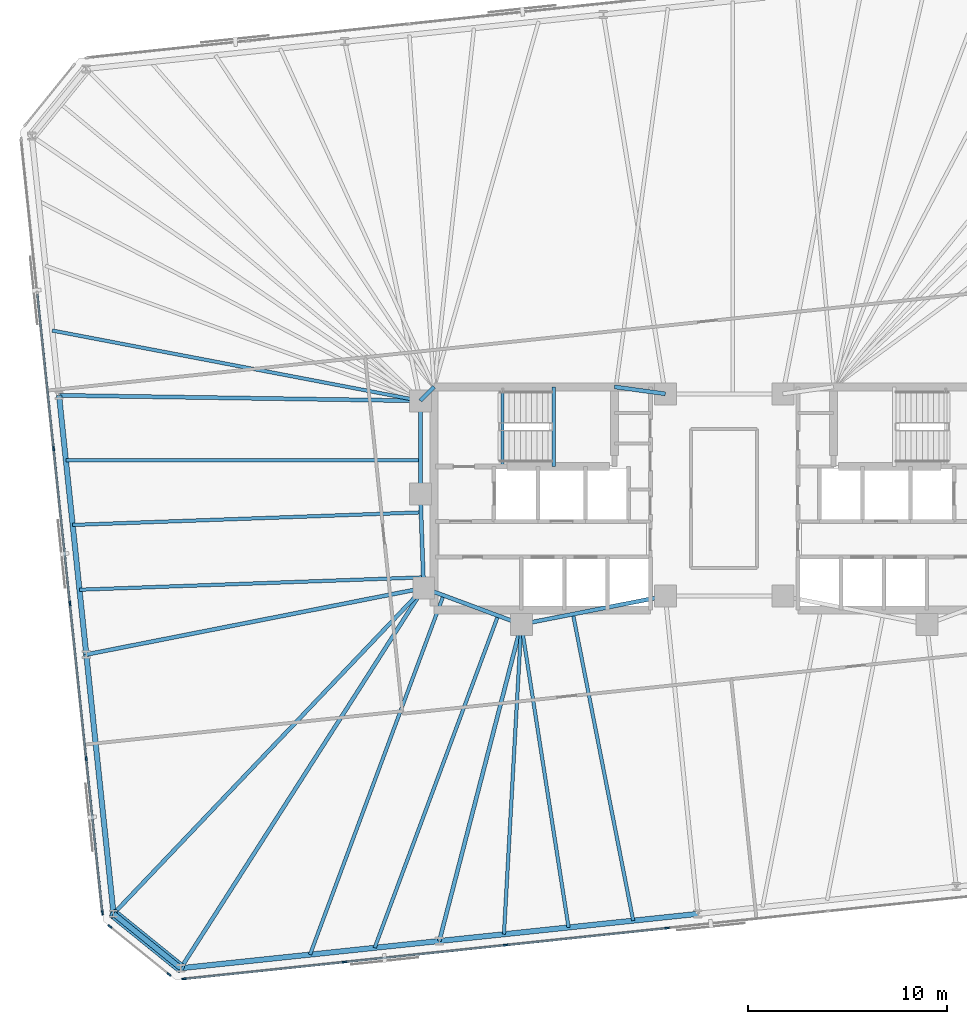
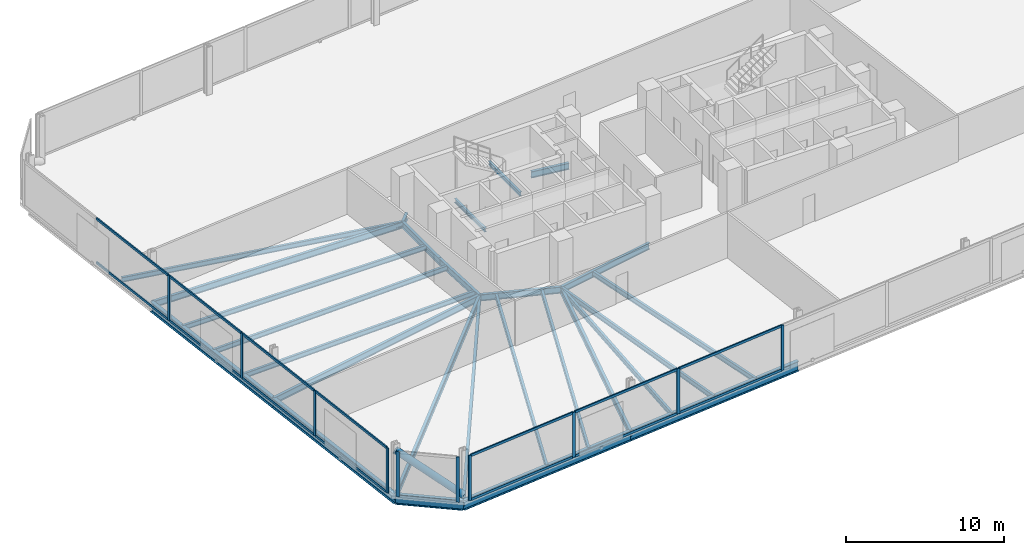
# One storey, part 6 of 17: 27 beams, 25 members, 3 elements without a shape of their own.
"""IFC4 building model written with IfcOpenShell, lengths in metres."""

from ifc_helpers import new_model, si_unit, direction, frame, origin, origin_2d, place, context, subcontext, project, spatial, rectangle, hollow_circle, i_section, extrude, material, material_profile, profile_set, type_object, element, aggregate, save


model = new_model("IFC4")

# Units and contexts
model_context = context("Model", 3, precision=1e-05, world=origin(), true_north=direction((0.0, 1.0)))
body_context = subcontext(model_context, "Body", "Model", "MODEL_VIEW")
ifc_project = project(units=[si_unit("LENGTHUNIT", "METRE"), si_unit("AREAUNIT", "SQUARE_METRE"), si_unit("VOLUMEUNIT", "CUBIC_METRE"), si_unit("PLANEANGLEUNIT", "RADIAN"), si_unit("MASSUNIT", "GRAM", prefix="KILO")], contexts=[model_context])

# Site, building, storey
site_placement = place(None, origin())
site = spatial("IfcSite", under=ifc_project, at=site_placement, CompositionType="ELEMENT")
building_placement = place(site_placement, origin())
building = spatial("IfcBuilding", under=site, at=building_placement, Name="Menara Jurai Vektor", CompositionType="ELEMENT")
storey_placement = place(building_placement, frame((0.0, 0.0, 87.39990234375)))
storey = spatial("IfcBuildingStorey", under=building, at=storey_placement, Name="L21", CompositionType="ELEMENT", Elevation=87.39990234375)

# Curtain wall, members
ifc_material_1 = material(Name="Anodised Pale Aluminium & Low-E Double Glazing", Category="aluminium")
curtain_wall_type = type_object("IfcCurtainWallType", Name="CW-BLK2", PredefinedType="NOTDEFINED", material=ifc_material_1)
curtain_wall_1_placement = place(storey_placement, origin())
curtain_wall_1 = element("IfcCurtainWall", 1, at=curtain_wall_1_placement, inside=storey, type_object=curtain_wall_type, Name="Unitised Curtain Wall L21 F01", PredefinedType="NOTDEFINED")
ifc_material_2 = material(Name="Anodised Pale Aluminium Mullion", Category="aluminium")
ifc_material_profile_1 = material_profile(ifc_material_2, rectangle(XDim=0.090087890625, YDim=0.219970703125, at=origin_2d()), Name="ALU MUL 90x220")
ifc_profile_set_1 = profile_set([ifc_material_profile_1], Name="Anodised Pale Aluminium Mullion")
member_type_1 = type_object("IfcMemberType", Name="CW-BLK2-MUL", PredefinedType="MULLION", material=ifc_profile_set_1)
member_1_placement = place(storey_placement, frame((-27.116455078125, -24.122314453125, 0.0), z_axis=(0.0, 0.0, 1.0), x_axis=(-0.104528634935, 0.994521877325, 0.0)))
member_1 = element("IfcMember", 2, at=member_1_placement, type_object=member_type_1, Name="CW-02 mullion 1", PredefinedType="MULLION", context=body_context, shape_type="SweptSolid", body=[
    extrude(rectangle(XDim=0.090087890625, YDim=0.219970703125, at=origin_2d()), origin(), (0.0, 0.0, 1.0), 3.47509765625),
])
member_2_placement = place(storey_placement, frame((-19.0634765625, -23.27587890625, 0.0), z_axis=(0.0, 0.0, 1.0), x_axis=(-0.104528634935, 0.994521877325, 0.0)))
member_2 = element("IfcMember", 3, at=member_2_placement, type_object=member_type_1, Name="CW-02 mullion 2", PredefinedType="MULLION", context=body_context, shape_type="SweptSolid", body=[
    extrude(rectangle(XDim=0.090087890625, YDim=0.219970703125, at=origin_2d()), origin(), (0.0, 0.0, 1.0), 3.47509765625),
])
member_3_placement = place(storey_placement, frame((-10.965576171875, -22.4248046875, 0.0), z_axis=(0.0, 0.0, 1.0), x_axis=(-0.104528634935, 0.994521877325, 0.0)))
member_3 = element("IfcMember", 4, at=member_3_placement, type_object=member_type_1, Name="CW-02 mullion 3", PredefinedType="MULLION", context=body_context, shape_type="SweptSolid", body=[
    extrude(rectangle(XDim=0.090087890625, YDim=0.219970703125, at=origin_2d()), origin(), (0.0, 0.0, 1.0), 3.47509765625),
])
member_4_placement = place(storey_placement, frame((-2.86767578125, -21.57373046875, 0.0), z_axis=(0.0, 0.0, 1.0), x_axis=(-0.104528634935, 0.994521877325, 0.0)))
member_4 = element("IfcMember", 5, at=member_4_placement, type_object=member_type_1, Name="CW-02 mullion 4", PredefinedType="MULLION", context=body_context, shape_type="SweptSolid", body=[
    extrude(rectangle(XDim=0.090087890625, YDim=0.219970703125, at=origin_2d()), origin(), (0.0, 0.0, 1.0), 3.47509765625),
])

curtain_wall_2_placement = place(storey_placement, origin())
curtain_wall_2 = element("IfcCurtainWall", 6, at=curtain_wall_2_placement, inside=storey, type_object=curtain_wall_type, Name="Unitised Curtain Wall L21 F07", PredefinedType="NOTDEFINED")
member_5_placement = place(storey_placement, frame((-33.66064453125, 2.50341796875, 0.0), z_axis=(0.0, 0.0, 1.0), x_axis=(0.99452177832, 0.104529576902, 0.0)))
member_5 = element("IfcMember", 7, at=member_5_placement, type_object=member_type_1, Name="CW-02 mullion 3", PredefinedType="MULLION", context=body_context, shape_type="SweptSolid", body=[
    extrude(rectangle(XDim=0.090087890625, YDim=0.219970703125, at=origin_2d()), origin(), (0.0, 0.0, 1.0), 3.47509765625),
])
member_6_placement = place(storey_placement, frame((-32.84228515625, -5.28173828125, 0.0), z_axis=(0.0, 0.0, 1.0), x_axis=(0.99452177832, 0.104529576902, 0.0)))
member_6 = element("IfcMember", 8, at=member_6_placement, type_object=member_type_1, Name="CW-02 mullion 4", PredefinedType="MULLION", context=body_context, shape_type="SweptSolid", body=[
    extrude(rectangle(XDim=0.090087890625, YDim=0.219970703125, at=origin_2d()), origin(), (0.0, 0.0, 1.0), 3.47509765625),
])
member_7_placement = place(storey_placement, frame((-32.024169921875, -13.06689453125, 0.0), z_axis=(0.0, 0.0, 1.0), x_axis=(0.99452177832, 0.104529576902, 0.0)))
member_7 = element("IfcMember", 9, at=member_7_placement, type_object=member_type_1, Name="CW-02 mullion 5", PredefinedType="MULLION", context=body_context, shape_type="SweptSolid", body=[
    extrude(rectangle(XDim=0.090087890625, YDim=0.219970703125, at=origin_2d()), origin(), (0.0, 0.0, 1.0), 3.47509765625),
])
member_8_placement = place(storey_placement, frame((-31.21044921875, -20.80712890625, 0.0), z_axis=(0.0, 0.0, 1.0), x_axis=(0.99452177832, 0.104529576902, 0.0)))
member_8 = element("IfcMember", 10, at=member_8_placement, type_object=member_type_1, Name="CW-02 mullion 6", PredefinedType="MULLION", context=body_context, shape_type="SweptSolid", body=[
    extrude(rectangle(XDim=0.090087890625, YDim=0.219970703125, at=origin_2d()), origin(), (0.0, 0.0, 1.0), 3.47509765625),
])

curtain_wall_3_placement = place(storey_placement, origin())
curtain_wall_3 = element("IfcCurtainWall", 11, at=curtain_wall_3_placement, inside=storey, type_object=curtain_wall_type, Name="Unitised Curtain Wall L21 F08", PredefinedType="NOTDEFINED")
member_9_placement = place(storey_placement, frame((-30.8359375, -21.497314453125, 0.0), z_axis=(0.0, 0.0, 1.0), x_axis=(0.629313085353, 0.777151877437, 0.0)))
member_9 = element("IfcMember", 12, at=member_9_placement, type_object=member_type_1, Name="CW-02 mullion 1", PredefinedType="MULLION", context=body_context, shape_type="SweptSolid", body=[
    extrude(rectangle(XDim=0.090087890625, YDim=0.219970703125, at=origin_2d()), origin(), (0.0, 0.0, 1.0), 3.47509765625),
])
member_10_placement = place(storey_placement, frame((-27.869384765625, -23.8994140625, 0.0), z_axis=(0.0, 0.0, 1.0), x_axis=(0.629313085353, 0.777151877437, 0.0)))
member_10 = element("IfcMember", 13, at=member_10_placement, type_object=member_type_1, Name="CW-02 mullion 2", PredefinedType="MULLION", context=body_context, shape_type="SweptSolid", body=[
    extrude(rectangle(XDim=0.090087890625, YDim=0.219970703125, at=origin_2d()), origin(), (0.0, 0.0, 1.0), 3.47509765625),
])
aggregate(curtain_wall_3, [member_9, member_10])

# Member
ifc_material_3 = material(Name="Anodised Pale Aluminium Transom", Category="aluminium")
ifc_material_profile_2 = material_profile(ifc_material_3, rectangle(XDim=0.090087890625, YDim=0.18505859375, at=origin_2d()), Name="ALU TRN 90x185")
ifc_profile_set_2 = profile_set([ifc_material_profile_2], Name="Anodised Pale Aluminium Transom")
member_type_2 = type_object("IfcMemberType", Name="CW-BLK2-TRN", PredefinedType="USERDEFINED", material=ifc_profile_set_2)
member_11_placement = place(storey_placement, frame((-27.07177734375, -24.11767578125, 0.045166015625), z_axis=(0.994523147415, 0.10451655015, 0.0), x_axis=(-0.10451655015, 0.994523147415, 0.0)))
member_11 = element("IfcMember", 14, at=member_11_placement, type_object=member_type_2, Name="CW-02 transom 1.1", ObjectType="TRANSOM", PredefinedType="USERDEFINED", context=body_context, shape_type="SweptSolid", body=[
    extrude(rectangle(XDim=0.090087890625, YDim=0.18505859375, at=origin_2d()), origin(), (0.0, 0.0, 1.0), 8.007568359375),
])

member_12_placement = place(storey_placement, frame((-27.07177734375, -24.11767578125, 3.43017578125), z_axis=(0.994523147415, 0.10451655015, 0.0), x_axis=(-0.10451655015, 0.994523147415, 0.0)))
member_12 = element("IfcMember", 15, at=member_12_placement, type_object=member_type_2, Name="CW-02 transom 1.2", ObjectType="TRANSOM", PredefinedType="USERDEFINED", context=body_context, shape_type="SweptSolid", body=[
    extrude(rectangle(XDim=0.090087890625, YDim=0.18505859375, at=origin_2d()), origin(), (0.0, 0.0, 1.0), 8.007568359375),
])

member_13_placement = place(storey_placement, frame((-19.0185546875, -23.271240234375, 0.045166015625), z_axis=(0.994520726373, 0.10453958492, 0.0), x_axis=(-0.10453958492, 0.994520726373, 0.0)))
member_13 = element("IfcMember", 16, at=member_13_placement, type_object=member_type_2, Name="CW-02 transom 2.1", ObjectType="TRANSOM", PredefinedType="USERDEFINED", context=body_context, shape_type="SweptSolid", body=[
    extrude(rectangle(XDim=0.090087890625, YDim=0.18505859375, at=origin_2d()), origin(), (0.0, 0.0, 1.0), 8.052490234375),
])

member_14_placement = place(storey_placement, frame((-19.0185546875, -23.271240234375, 3.43017578125), z_axis=(0.994520726373, 0.10453958492, 0.0), x_axis=(-0.10453958492, 0.994520726373, 0.0)))
member_14 = element("IfcMember", 17, at=member_14_placement, type_object=member_type_2, Name="CW-02 transom 2.2", ObjectType="TRANSOM", PredefinedType="USERDEFINED", context=body_context, shape_type="SweptSolid", body=[
    extrude(rectangle(XDim=0.090087890625, YDim=0.18505859375, at=origin_2d()), origin(), (0.0, 0.0, 1.0), 8.052490234375),
])

member_15_placement = place(storey_placement, frame((-10.920654296875, -22.420166015625, 0.045166015625), z_axis=(0.994520726373, 0.10453958492, 0.0), x_axis=(-0.10453958492, 0.994520726373, 0.0)))
member_15 = element("IfcMember", 18, at=member_15_placement, type_object=member_type_2, Name="CW-02 transom 3.1", ObjectType="TRANSOM", PredefinedType="USERDEFINED", context=body_context, shape_type="SweptSolid", body=[
    extrude(rectangle(XDim=0.090087890625, YDim=0.18505859375, at=origin_2d()), origin(), (0.0, 0.0, 1.0), 8.052490234375),
])

member_16_placement = place(storey_placement, frame((-10.920654296875, -22.420166015625, 3.43017578125), z_axis=(0.994520726373, 0.10453958492, 0.0), x_axis=(-0.10453958492, 0.994520726373, 0.0)))
member_16 = element("IfcMember", 19, at=member_16_placement, type_object=member_type_2, Name="CW-02 transom 3.2", ObjectType="TRANSOM", PredefinedType="USERDEFINED", context=body_context, shape_type="SweptSolid", body=[
    extrude(rectangle(XDim=0.090087890625, YDim=0.18505859375, at=origin_2d()), origin(), (0.0, 0.0, 1.0), 8.052490234375),
])

aggregate(curtain_wall_1, [member_1, member_2, member_3, member_4, member_11, member_12, member_13, member_14, member_15, member_16])

member_17_placement = place(storey_placement, frame((-34.47412109375, 10.243896484375, 0.045166015625), z_axis=(0.104525476786, -0.994522209256, 0.0), x_axis=(0.994522209256, 0.104525476786, 0.0)))
member_17 = element("IfcMember", 20, at=member_17_placement, type_object=member_type_2, Name="CW-02 transom 2.1", ObjectType="TRANSOM", PredefinedType="USERDEFINED", context=body_context, shape_type="SweptSolid", body=[
    extrude(rectangle(XDim=0.090087890625, YDim=0.18505859375, at=origin_2d()), origin(), (0.0, 0.0, 1.0), 7.73828125),
])

member_18_placement = place(storey_placement, frame((-34.47412109375, 10.243896484375, 3.43017578125), z_axis=(0.104525476786, -0.994522209256, 0.0), x_axis=(0.994522209256, 0.104525476786, 0.0)))
member_18 = element("IfcMember", 21, at=member_18_placement, type_object=member_type_2, Name="CW-02 transom 2.2", ObjectType="TRANSOM", PredefinedType="USERDEFINED", context=body_context, shape_type="SweptSolid", body=[
    extrude(rectangle(XDim=0.090087890625, YDim=0.18505859375, at=origin_2d()), origin(), (0.0, 0.0, 1.0), 7.73828125),
])

member_19_placement = place(storey_placement, frame((-33.65576171875, 2.458740234375, 0.045166015625), z_axis=(0.104525476786, -0.994522209256, 0.0), x_axis=(0.994522209256, 0.104525476786, 0.0)))
member_19 = element("IfcMember", 22, at=member_19_placement, type_object=member_type_2, Name="CW-02 transom 3.1", ObjectType="TRANSOM", PredefinedType="USERDEFINED", context=body_context, shape_type="SweptSolid", body=[
    extrude(rectangle(XDim=0.090087890625, YDim=0.18505859375, at=origin_2d()), origin(), (0.0, 0.0, 1.0), 7.73828125),
])

member_20_placement = place(storey_placement, frame((-33.65576171875, 2.458740234375, 3.43017578125), z_axis=(0.104525476786, -0.994522209256, 0.0), x_axis=(0.994522209256, 0.104525476786, 0.0)))
member_20 = element("IfcMember", 23, at=member_20_placement, type_object=member_type_2, Name="CW-02 transom 3.2", ObjectType="TRANSOM", PredefinedType="USERDEFINED", context=body_context, shape_type="SweptSolid", body=[
    extrude(rectangle(XDim=0.090087890625, YDim=0.18505859375, at=origin_2d()), origin(), (0.0, 0.0, 1.0), 7.73828125),
])

member_21_placement = place(storey_placement, frame((-32.837646484375, -5.326416015625, 0.045166015625), z_axis=(0.104525476786, -0.994522209256, 0.0), x_axis=(0.994522209256, 0.104525476786, 0.0)))
member_21 = element("IfcMember", 24, at=member_21_placement, type_object=member_type_2, Name="CW-02 transom 4.1", ObjectType="TRANSOM", PredefinedType="USERDEFINED", context=body_context, shape_type="SweptSolid", body=[
    extrude(rectangle(XDim=0.090087890625, YDim=0.18505859375, at=origin_2d()), origin(), (0.0, 0.0, 1.0), 7.73828125),
])

member_22_placement = place(storey_placement, frame((-32.837646484375, -5.326416015625, 3.43017578125), z_axis=(0.104525476786, -0.994522209256, 0.0), x_axis=(0.994522209256, 0.104525476786, 0.0)))
member_22 = element("IfcMember", 25, at=member_22_placement, type_object=member_type_2, Name="CW-02 transom 4.2", ObjectType="TRANSOM", PredefinedType="USERDEFINED", context=body_context, shape_type="SweptSolid", body=[
    extrude(rectangle(XDim=0.090087890625, YDim=0.18505859375, at=origin_2d()), origin(), (0.0, 0.0, 1.0), 7.73828125),
])

member_23_placement = place(storey_placement, frame((-32.019287109375, -13.111572265625, 0.045166015625), z_axis=(0.104536105602, -0.994521092097, 0.0), x_axis=(0.994521092097, 0.104536105602, 0.0)))
member_23 = element("IfcMember", 26, at=member_23_placement, type_object=member_type_2, Name="CW-02 transom 5.1", ObjectType="TRANSOM", PredefinedType="USERDEFINED", context=body_context, shape_type="SweptSolid", body=[
    extrude(rectangle(XDim=0.090087890625, YDim=0.18505859375, at=origin_2d()), origin(), (0.0, 0.0, 1.0), 7.693115234375),
])

member_24_placement = place(storey_placement, frame((-32.019287109375, -13.111572265625, 3.43017578125), z_axis=(0.104536105602, -0.994521092097, 0.0), x_axis=(0.994521092097, 0.104536105602, 0.0)))
member_24 = element("IfcMember", 27, at=member_24_placement, type_object=member_type_2, Name="CW-02 transom 5.2", ObjectType="TRANSOM", PredefinedType="USERDEFINED", context=body_context, shape_type="SweptSolid", body=[
    extrude(rectangle(XDim=0.090087890625, YDim=0.18505859375, at=origin_2d()), origin(), (0.0, 0.0, 1.0), 7.693115234375),
])

aggregate(curtain_wall_2, [member_5, member_6, member_7, member_8, member_17, member_18, member_19, member_20, member_21, member_22, member_23, member_24])

# Beams
ifc_material_4 = material(Name="Steel S355", Category="steel")
ifc_material_profile_3 = material_profile(ifc_material_4, i_section(OverallWidth=0.199951171875, OverallDepth=0.5, WebThickness=0.011962890625, FlangeThickness=0.02001953125, at=origin_2d()), Name="PG 500x200x96")
ifc_profile_set_3 = profile_set([ifc_material_profile_3], Name="Steel S355")
beam_type_1 = type_object("IfcBeamType", Name="STR-BM-500", PredefinedType="BEAM", material=ifc_profile_set_3)
beam_1_placement = place(storey_placement, frame((-15.25, 4.89990234375, -0.474853515625), z_axis=(0.701871936926, 0.712303154672, 0.0), x_axis=(-0.712303154672, 0.701871936926, 0.0)))
element("IfcBeam", 28, at=beam_1_placement, inside=storey, type_object=beam_type_1, Name="Core Ring Header Girder L21-CHW-N1", PredefinedType="BEAM", context=body_context, shape_type="SweptSolid", body=[
    extrude(i_section(OverallWidth=0.199951171875, OverallDepth=0.5, WebThickness=0.011962890625, FlangeThickness=0.02001953125, at=origin_2d()), origin(), (0.0, 0.0, 1.0), 0.98291015625),
])
beam_2_placement = place(storey_placement, frame((-5.5, 5.60009765625, -0.474853515625), z_axis=(0.990706818608, -0.136014703483, 0.0), x_axis=(0.136014703483, 0.990706818608, 0.0)))
element("IfcBeam", 29, at=beam_2_placement, inside=storey, type_object=beam_type_1, Name="Core Ring Header Girder L21-CHW-N2", PredefinedType="BEAM", context=body_context, shape_type="SweptSolid", body=[
    extrude(i_section(OverallWidth=0.199951171875, OverallDepth=0.5, WebThickness=0.011962890625, FlangeThickness=0.02001953125, at=origin_2d()), origin(), (0.0, 0.0, 1.0), 2.573974609375),
])
beam_3_placement = place(storey_placement, frame((-15.25, 0.219970703125, -0.474853515625), z_axis=(0.0, 1.0, 0.0), x_axis=(-1.0, 0.0, 0.0)))
element("IfcBeam", 30, at=beam_3_placement, inside=storey, type_object=beam_type_1, Name="Core Ring Header Girder L21-CHW-W1", PredefinedType="BEAM", context=body_context, shape_type="SweptSolid", body=[
    extrude(i_section(OverallWidth=0.199951171875, OverallDepth=0.5, WebThickness=0.011962890625, FlangeThickness=0.02001953125, at=origin_2d()), origin(), (0.0, 0.0, 1.0), 4.679931640625),
])
beam_4_placement = place(storey_placement, frame((-15.080078125, -4.5, -0.474853515625), z_axis=(-0.035977314146, 0.999352606874, 0.0), x_axis=(-0.999352606874, -0.035977314146, 0.0)))
element("IfcBeam", 31, at=beam_4_placement, inside=storey, type_object=beam_type_1, Name="Core Ring Header Girder L21-CHW-W2", PredefinedType="BEAM", context=body_context, shape_type="SweptSolid", body=[
    extrude(i_section(OverallWidth=0.199951171875, OverallDepth=0.5, WebThickness=0.011962890625, FlangeThickness=0.02001953125, at=origin_2d()), origin(), (0.0, 0.0, 1.0), 4.72314453125),
])
beam_5_placement = place(storey_placement, frame((-15.080078125, -4.5, -0.474853515625), z_axis=(0.937424400887, -0.348188874925, 0.0), x_axis=(0.348188874925, 0.937424400887, 0.0)))
element("IfcBeam", 32, at=beam_5_placement, inside=storey, type_object=beam_type_1, Name="Core Ring Header Girder L21-CHW-S1", PredefinedType="BEAM", context=body_context, shape_type="SweptSolid", body=[
    extrude(i_section(OverallWidth=0.199951171875, OverallDepth=0.5, WebThickness=0.011962890625, FlangeThickness=0.02001953125, at=origin_2d()), origin(), (0.0, 0.0, 1.0), 5.227294921875),
])
beam_6_placement = place(storey_placement, frame((-10.179931640625, -6.320068359375, -0.474853515625), z_axis=(0.981249044334, 0.192744164614, 0.0), x_axis=(-0.192744164614, 0.981249044334, 0.0)))
element("IfcBeam", 33, at=beam_6_placement, inside=storey, type_object=beam_type_1, Name="Core Ring Header Girder L21-CHW-S2", PredefinedType="BEAM", context=body_context, shape_type="SweptSolid", body=[
    extrude(i_section(OverallWidth=0.199951171875, OverallDepth=0.5, WebThickness=0.011962890625, FlangeThickness=0.02001953125, at=origin_2d()), origin(), (0.0, 0.0, 1.0), 7.3681640625),
])
beam_7_placement = place(storey_placement, frame((-27.2763671875, -23.586181640625, -0.474853515625), z_axis=(0.538462629542, 0.842649391258, 0.0), x_axis=(-0.842649391258, 0.538462629542, 0.0)))
element("IfcBeam", 34, at=beam_7_placement, inside=storey, type_object=beam_type_1, Name="Radial Floor Girder L21-S1", PredefinedType="BEAM", context=body_context, shape_type="SweptSolid", body=[
    extrude(i_section(OverallWidth=0.199951171875, OverallDepth=0.5, WebThickness=0.011962890625, FlangeThickness=0.02001953125, at=origin_2d()), origin(), (0.0, 0.0, 1.0), 22.650146484375),
])
beam_8_placement = place(storey_placement, frame((-14.296630859375, -22.221923828125, -0.474853515625), z_axis=(0.250619644892, 0.968085633399, 0.0), x_axis=(-0.968085633399, 0.250619644892, 0.0)))
element("IfcBeam", 35, at=beam_8_placement, inside=storey, type_object=beam_type_1, Name="Radial Floor Girder L21-S2", PredefinedType="BEAM", context=body_context, shape_type="SweptSolid", body=[
    extrude(i_section(OverallWidth=0.199951171875, OverallDepth=0.5, WebThickness=0.011962890625, FlangeThickness=0.02001953125, at=origin_2d()), origin(), (0.0, 0.0, 1.0), 16.426025390625),
])
beam_9_placement = place(storey_placement, frame((-33.38818359375, 5.175048828125, -0.474853515625), z_axis=(0.999884963566, -0.015167716827, 0.0), x_axis=(0.015167716827, 0.999884963566, 0.0)))
element("IfcBeam", 36, at=beam_9_placement, inside=storey, type_object=beam_type_1, Name="Radial Floor Girder L21-W2", PredefinedType="BEAM", context=body_context, shape_type="SweptSolid", body=[
    extrude(i_section(OverallWidth=0.199951171875, OverallDepth=0.5, WebThickness=0.011962890625, FlangeThickness=0.02001953125, at=origin_2d()), origin(), (0.0, 0.0, 1.0), 18.140380859375),
])
beam_10_placement = place(storey_placement, frame((-32.0205078125, -7.83837890625, -0.474853515625), z_axis=(0.98113039493, 0.193347221714, 0.0), x_axis=(-0.193347221714, 0.98113039493, 0.0)))
element("IfcBeam", 37, at=beam_10_placement, inside=storey, type_object=beam_type_1, Name="Radial Floor Girder L21-W3", PredefinedType="BEAM", context=body_context, shape_type="SweptSolid", body=[
    extrude(i_section(OverallWidth=0.199951171875, OverallDepth=0.5, WebThickness=0.011962890625, FlangeThickness=0.02001953125, at=origin_2d()), origin(), (0.0, 0.0, 1.0), 17.266357421875),
])
beam_11_placement = place(storey_placement, frame((-30.65283203125, -20.85205078125, -0.474853515625), z_axis=(0.689640593718, 0.724151815227, 0.0), x_axis=(-0.724151815227, 0.689640593718, 0.0)))
element("IfcBeam", 38, at=beam_11_placement, inside=storey, type_object=beam_type_1, Name="Radial Floor Girder L21-W4", PredefinedType="BEAM", context=body_context, shape_type="SweptSolid", body=[
    extrude(i_section(OverallWidth=0.199951171875, OverallDepth=0.5, WebThickness=0.011962890625, FlangeThickness=0.02001953125, at=origin_2d()), origin(), (0.0, 0.0, 1.0), 22.5810546875),
])

# Member
ifc_material_5 = material(Name="Steel S460", Category="steel")
ifc_material_profile_4 = material_profile(ifc_material_5, hollow_circle(Radius=0.25390625, WallThickness=0.02001953125, at=origin_2d()), Name="CHS 508x20")
ifc_profile_set_4 = profile_set([ifc_material_profile_4], Name="Steel S460")
member_type_3 = type_object("IfcMemberType", Name="STR-BR-508", PredefinedType="BRACE", material=ifc_profile_set_4)
member_25_placement = place(storey_placement, frame((-27.2763671875, -23.586181640625, 0.150146484375), z_axis=(-0.641240080956, 0.51925145818, 0.564968213047), x_axis=(-0.629309762217, -0.777154568396, 0.0)))
element("IfcMember", 39, at=member_25_placement, inside=storey, type_object=member_type_3, Name="Exoskeleton Corner Brace L21-4", PredefinedType="BRACE", context=body_context, shape_type="SweptSolid", body=[
    extrude(hollow_circle(Radius=0.25390625, WallThickness=0.02001953125, at=origin_2d()), origin(), (0.0, 0.0, 1.0), 5.265625),
])

# Beams
ifc_material_profile_5 = material_profile(ifc_material_4, i_section(OverallWidth=0.175048828125, OverallDepth=0.3798828125, WebThickness=0.010009765625, FlangeThickness=0.014892578125, at=origin_2d()), Name="PG 380x175x58")
ifc_profile_set_5 = profile_set([ifc_material_profile_5], Name="Steel S355")
beam_type_2 = type_object("IfcBeamType", Name="STR-JS-380", PredefinedType="JOIST", material=ifc_profile_set_5)
beam_12_placement = place(storey_placement, frame((-20.78662109375, -22.904052734375, -0.414794921875), z_axis=(0.34819162731, 0.93742337856, 0.0), x_axis=(-0.93742337856, 0.34819162731, 0.0)))
element("IfcBeam", 40, at=beam_12_placement, inside=storey, type_object=beam_type_2, Name="Radial Secondary Floor Joist L21-JS01", PredefinedType="JOIST", context=body_context, shape_type="SweptSolid", body=[
    extrude(i_section(OverallWidth=0.175048828125, OverallDepth=0.3798828125, WebThickness=0.010009765625, FlangeThickness=0.014892578125, at=origin_2d()), origin(), (0.0, 0.0, 1.0), 19.2392578125),
])
beam_13_placement = place(storey_placement, frame((-17.54150390625, -22.56298828125, -0.414794921875), z_axis=(0.348184462185, 0.937426039906, 0.0), x_axis=(-0.937426039906, 0.348184462185, 0.0)))
element("IfcBeam", 41, at=beam_13_placement, inside=storey, type_object=beam_type_2, Name="Radial Secondary Floor Joist L21-JS02", PredefinedType="JOIST", context=body_context, shape_type="SweptSolid", body=[
    extrude(i_section(OverallWidth=0.175048828125, OverallDepth=0.3798828125, WebThickness=0.010009765625, FlangeThickness=0.014892578125, at=origin_2d()), origin(), (0.0, 0.0, 1.0), 17.789794921875),
])
beam_14_placement = place(storey_placement, frame((-11.0517578125, -21.880859375, -0.414794921875), z_axis=(0.055939382302, 0.998434166837, 0.0), x_axis=(-0.998434166837, 0.055939382302, 0.0)))
element("IfcBeam", 42, at=beam_14_placement, inside=storey, type_object=beam_type_2, Name="Radial Secondary Floor Joist L21-JS03", PredefinedType="JOIST", context=body_context, shape_type="SweptSolid", body=[
    extrude(i_section(OverallWidth=0.175048828125, OverallDepth=0.3798828125, WebThickness=0.010009765625, FlangeThickness=0.014892578125, at=origin_2d()), origin(), (0.0, 0.0, 1.0), 15.585205078125),
])
beam_15_placement = place(storey_placement, frame((-7.806884765625, -21.539794921875, -0.414794921875), z_axis=(-0.154057765645, 0.988061842622, 0.0), x_axis=(-0.988061842622, -0.154057765645, 0.0)))
element("IfcBeam", 43, at=beam_15_placement, inside=storey, type_object=beam_type_2, Name="Radial Secondary Floor Joist L21-JS04", PredefinedType="JOIST", context=body_context, shape_type="SweptSolid", body=[
    extrude(i_section(OverallWidth=0.175048828125, OverallDepth=0.3798828125, WebThickness=0.010009765625, FlangeThickness=0.014892578125, at=origin_2d()), origin(), (0.0, 0.0, 1.0), 15.403564453125),
])
beam_16_placement = place(storey_placement, frame((-4.56201171875, -21.19873046875, -0.414794921875), z_axis=(-0.19271398667, 0.981254971627, 0.0), x_axis=(-0.981254971627, -0.19271398667, 0.0)))
element("IfcBeam", 44, at=beam_16_placement, inside=storey, type_object=beam_type_2, Name="Radial Secondary Floor Joist L21-JS05", PredefinedType="JOIST", context=body_context, shape_type="SweptSolid", body=[
    extrude(i_section(OverallWidth=0.175048828125, OverallDepth=0.3798828125, WebThickness=0.010009765625, FlangeThickness=0.014892578125, at=origin_2d()), origin(), (0.0, 0.0, 1.0), 15.682373046875),
])
beam_17_placement = place(storey_placement, frame((-33.730224609375, 8.428466796875, -0.414794921875), z_axis=(0.982255215221, -0.187549172674, 0.0), x_axis=(0.187549172674, 0.982255215221, 0.0)))
element("IfcBeam", 45, at=beam_17_placement, inside=storey, type_object=beam_type_2, Name="Radial Secondary Floor Joist L21-JS38", PredefinedType="JOIST", context=body_context, shape_type="SweptSolid", body=[
    extrude(i_section(OverallWidth=0.175048828125, OverallDepth=0.3798828125, WebThickness=0.010009765625, FlangeThickness=0.014892578125, at=origin_2d()), origin(), (0.0, 0.0, 1.0), 18.81396484375),
])
beam_18_placement = place(storey_placement, frame((-33.04638671875, 1.921630859375, -0.414794921875), z_axis=(1.0, 0.0, 0.0), x_axis=(0.0, 1.0, 0.0)))
element("IfcBeam", 46, at=beam_18_placement, inside=storey, type_object=beam_type_2, Name="Radial Secondary Floor Joist L21-JS39", PredefinedType="JOIST", context=body_context, shape_type="SweptSolid", body=[
    extrude(i_section(OverallWidth=0.175048828125, OverallDepth=0.3798828125, WebThickness=0.010009765625, FlangeThickness=0.014892578125, at=origin_2d()), origin(), (0.0, 0.0, 1.0), 17.79638671875),
])
beam_19_placement = place(storey_placement, frame((-32.704345703125, -1.331787109375, -0.414794921875), z_axis=(0.999351948809, 0.035995588769, 0.0), x_axis=(-0.035995588769, 0.999351948809, 0.0)))
element("IfcBeam", 47, at=beam_19_placement, inside=storey, type_object=beam_type_2, Name="Radial Secondary Floor Joist L21-JS40", PredefinedType="JOIST", context=body_context, shape_type="SweptSolid", body=[
    extrude(i_section(OverallWidth=0.175048828125, OverallDepth=0.3798828125, WebThickness=0.010009765625, FlangeThickness=0.014892578125, at=origin_2d()), origin(), (0.0, 0.0, 1.0), 17.498779296875),
])
beam_20_placement = place(storey_placement, frame((-32.362548828125, -4.5849609375, -0.414794921875), z_axis=(0.999352405578, 0.03598290517, 0.0), x_axis=(-0.03598290517, 0.999352405578, 0.0)))
element("IfcBeam", 48, at=beam_20_placement, inside=storey, type_object=beam_type_2, Name="Radial Secondary Floor Joist L21-JS41", PredefinedType="JOIST", context=body_context, shape_type="SweptSolid", body=[
    extrude(i_section(OverallWidth=0.175048828125, OverallDepth=0.3798828125, WebThickness=0.010009765625, FlangeThickness=0.014892578125, at=origin_2d()), origin(), (0.0, 0.0, 1.0), 17.2744140625),
])
ifc_material_profile_6 = material_profile(ifc_material_4, i_section(OverallWidth=0.1650390625, OverallDepth=0.302978515625, WebThickness=0.006103515625, FlangeThickness=0.010009765625, FilletRadius=0.009033203125, at=origin_2d()), Name="UKB 305x165x40")
ifc_profile_set_6 = profile_set([ifc_material_profile_6], Name="Steel S355")
beam_type_3 = type_object("IfcBeamType", Name="STR-LN-305", PredefinedType="LINTEL", material=ifc_profile_set_6)
beam_21_placement = place(storey_placement, frame((-11.1201171875, 1.60009765625, -0.37646484375), z_axis=(0.0, 1.0, 0.0), x_axis=(-1.0, 0.0, 0.0)))
element("IfcBeam", 49, at=beam_21_placement, inside=storey, type_object=beam_type_3, Name="Stair Well Floor Trimmer ST1 L21", PredefinedType="LINTEL", context=body_context, shape_type="SweptSolid", body=[
    extrude(i_section(OverallWidth=0.1650390625, OverallDepth=0.302978515625, WebThickness=0.006103515625, FlangeThickness=0.010009765625, FilletRadius=0.009033203125, at=origin_2d()), origin(), (0.0, 0.0, 1.0), 3.81982421875),
])
beam_22_placement = place(storey_placement, frame((-8.550048828125, 1.60009765625, 1.49853515625), z_axis=(0.0, 1.0, 0.0), x_axis=(-1.0, 0.0, 0.0)))
element("IfcBeam", 50, at=beam_22_placement, inside=storey, type_object=beam_type_3, Name="Stair Half-Landing Nosing Trimmer ST1-1 L21", PredefinedType="LINTEL", context=body_context, shape_type="SweptSolid", body=[
    extrude(i_section(OverallWidth=0.1650390625, OverallDepth=0.302978515625, WebThickness=0.006103515625, FlangeThickness=0.010009765625, FilletRadius=0.009033203125, at=origin_2d()), origin(), (0.0, 0.0, 1.0), 4.0),
])
ifc_material_profile_7 = material_profile(ifc_material_5, i_section(OverallWidth=0.26806640625, OverallDepth=0.77001953125, WebThickness=0.01611328125, FlangeThickness=0.02490234375, FilletRadius=0.01708984375, at=origin_2d()), Name="UKB 762x267x197")
ifc_profile_set_7 = profile_set([ifc_material_profile_7], Name="Steel S460")
beam_type_4 = type_object("IfcBeamType", Name="STR-SP-762", PredefinedType="SPANDREL", material=ifc_profile_set_7)
for number, where, z_axis, x_axis, name in (
    (51, (-27.2763671875, -23.586181640625, -0.60986328125), (0.994521636083, 0.104530930169, 0.0), (-0.104530930169, 0.994521636083, 0.0), "Exoskeleton Spandrel Beam L21-01"),
    (52, (-14.296630859375, -22.221923828125, -0.60986328125), (0.994523580592, 0.104512428191, 0.0), (-0.104512428191, 0.994523580592, 0.0), "Exoskeleton Spandrel Beam L21-02"),
):
    element("IfcBeam", number, at=place(storey_placement, frame(where, z_axis=z_axis, x_axis=x_axis)), inside=storey, type_object=beam_type_4, Name=name, PredefinedType="SPANDREL", context=body_context, shape_type="SweptSolid", body=[
        extrude(i_section(OverallWidth=0.26806640625, OverallDepth=0.77001953125, WebThickness=0.01611328125, FlangeThickness=0.02490234375, FilletRadius=0.01708984375, at=origin_2d()), origin(), (0.0, 0.0, 1.0), 13.05126953125),
    ])
beam_23_placement = place(storey_placement, frame((-33.38818359375, 5.175048828125, -0.60986328125), z_axis=(0.104521615846, -0.994522615037, 0.0), x_axis=(0.994522615037, 0.104521615846, 0.0)))
element("IfcBeam", 53, at=beam_23_placement, inside=storey, type_object=beam_type_4, Name="Exoskeleton Spandrel Beam L21-18", PredefinedType="SPANDREL", context=body_context, shape_type="SweptSolid", body=[
    extrude(i_section(OverallWidth=0.26806640625, OverallDepth=0.77001953125, WebThickness=0.01611328125, FlangeThickness=0.02490234375, FilletRadius=0.01708984375, at=origin_2d()), origin(), (0.0, 0.0, 1.0), 13.085205078125),
])
beam_24_placement = place(storey_placement, frame((-32.0205078125, -7.83837890625, -0.60986328125), z_axis=(0.104519676409, -0.994522818865, 0.0), x_axis=(0.994522818865, 0.104519676409, 0.0)))
element("IfcBeam", 54, at=beam_24_placement, inside=storey, type_object=beam_type_4, Name="Exoskeleton Spandrel Beam L21-19", PredefinedType="SPANDREL", context=body_context, shape_type="SweptSolid", body=[
    extrude(i_section(OverallWidth=0.26806640625, OverallDepth=0.77001953125, WebThickness=0.01611328125, FlangeThickness=0.02490234375, FilletRadius=0.01708984375, at=origin_2d()), origin(), (0.0, 0.0, 1.0), 13.08544921875),
])
beam_25_placement = place(storey_placement, frame((-30.65283203125, -20.85205078125, -0.60986328125), z_axis=(0.777154568396, -0.629309762217, 0.0), x_axis=(0.629309762217, 0.777154568396, 0.0)))
element("IfcBeam", 55, at=beam_25_placement, inside=storey, type_object=beam_type_4, Name="Exoskeleton Spandrel Beam L21-20", PredefinedType="SPANDREL", context=body_context, shape_type="SweptSolid", body=[
    extrude(i_section(OverallWidth=0.26806640625, OverallDepth=0.77001953125, WebThickness=0.01611328125, FlangeThickness=0.02490234375, FilletRadius=0.01708984375, at=origin_2d()), origin(), (0.0, 0.0, 1.0), 4.3447265625),
])

save(model, "model.ifc")
